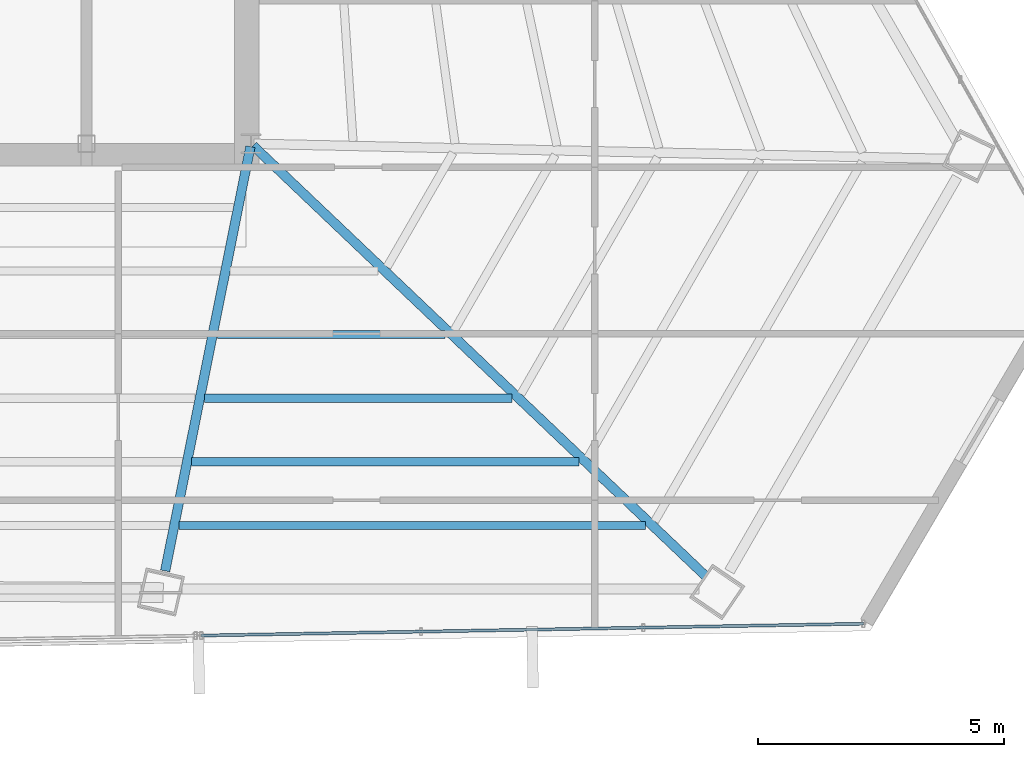
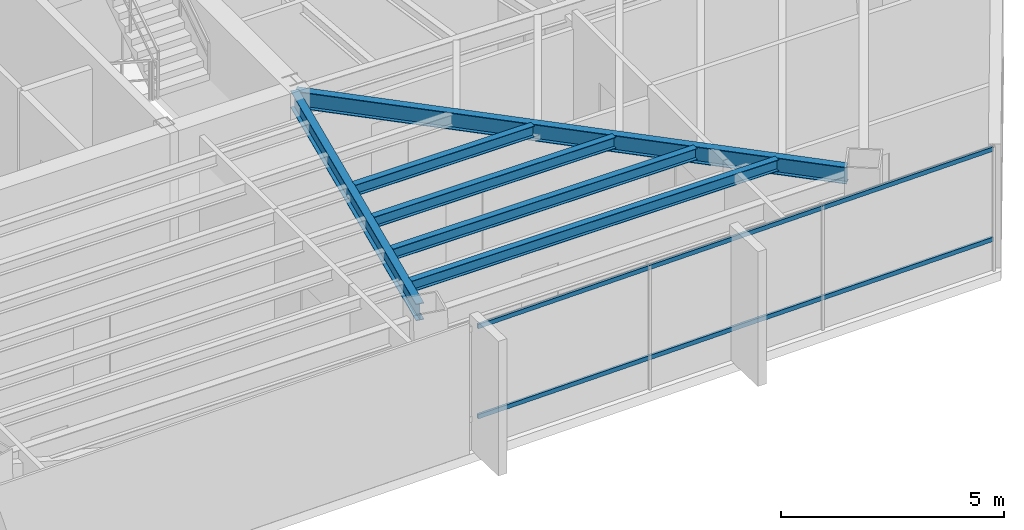
# One storey, part 19 of 42: 6 beams, 2 members, 1 element without a shape of its own.
"""IFC4 building model written with IfcOpenShell, lengths in metres."""

from ifc_helpers import new_model, si_unit, direction, frame, origin, origin_2d, place, context, subcontext, project, spatial, hollow_rectangle, i_section, extrude, source, transform, mapped, material, material_profile, profile_set, type_object, type_shapes, element, aggregate, save


model = new_model("IFC4")

# Units and contexts
model_context = context("Model", 3, precision=1e-05, world=origin(), true_north=direction((0.0, 1.0)))
body_context = subcontext(model_context, "Body", "Model", "MODEL_VIEW")
ifc_project = project(units=[si_unit("LENGTHUNIT", "METRE"), si_unit("AREAUNIT", "SQUARE_METRE"), si_unit("VOLUMEUNIT", "CUBIC_METRE"), si_unit("PLANEANGLEUNIT", "RADIAN"), si_unit("MASSUNIT", "GRAM", prefix="KILO")], contexts=[model_context])

# Site, building, storey
site_placement = place(None, origin())
site = spatial("IfcSite", under=ifc_project, at=site_placement, CompositionType="ELEMENT")
building_placement = place(site_placement, origin())
building = spatial("IfcBuilding", under=site, at=building_placement, Name="Caelisora Broadcast Tower", CompositionType="ELEMENT")
storey_placement = place(building_placement, frame((0.0, 0.0, 202.300048828125)))
storey = spatial("IfcBuildingStorey", under=building, at=storey_placement, Name="L53", CompositionType="ELEMENT", Elevation=202.300048828125)

# Beams
ifc_material_1 = material(Name="Steel Grade 350 (AS/NZS 3679.1)", Category="steel")
ifc_material_profile_1 = material_profile(ifc_material_1, i_section(OverallWidth=0.19091796875, OverallDepth=0.46044921875, WebThickness=0.010009765625, FlangeThickness=0.01611328125, at=origin_2d()), Name="Steel Grade 350 (AS/NZS 3679.1)")
ifc_profile_set_1 = profile_set([ifc_material_profile_1], Name="Steel Grade 350 (AS/NZS 3679.1)")
beam_type_1 = type_object("IfcBeamType", Name="PG06", PredefinedType="BEAM", material=ifc_profile_set_1)
shared_shape_1 = source(origin(), body_context, "Body", "SweptSolid", [
    extrude(i_section(OverallWidth=0.19091796875, OverallDepth=0.46044921875, WebThickness=0.010009765625, FlangeThickness=0.01611328125, at=origin_2d()), origin(), (0.0, 0.0, 1.0), 12.7216796875),
])
beam_1_placement = place(storey_placement, frame((45.54345703125, 17.358642578125, 3.169677734375), z_axis=(0.724635660467, -0.689132178598, 0.0), x_axis=(0.689132178598, 0.724635660467, 0.0)))
element("IfcBeam", 1, at=beam_1_placement, inside=storey, type_object=beam_type_1, Name="L53 beam PG06", PredefinedType="BEAM", context=body_context, shape_type="MappedRepresentation", body=[
    mapped(shared_shape_1, transform((0.0, 0.0, 0.0), scale=1.0)),
])
shared_shape_2 = source(origin(), body_context, "Body", "SweptSolid", [
    extrude(i_section(OverallWidth=0.19091796875, OverallDepth=0.46044921875, WebThickness=0.010009765625, FlangeThickness=0.01611328125, at=origin_2d()), origin(), (0.0, 0.0, 1.0), 8.812744140625),
])
type_shapes(beam_type_1, [shared_shape_1, shared_shape_2])
beam_2_placement = place(storey_placement, frame((45.48828125, 17.34130859375, 3.169677734375), z_axis=(-0.196995089628, -0.980404475032, 0.0), x_axis=(0.980404475032, -0.196995089628, 0.0)))
element("IfcBeam", 2, at=beam_2_placement, inside=storey, type_object=beam_type_1, Name="L53 beam PG06", PredefinedType="BEAM", context=body_context, shape_type="MappedRepresentation", body=[
    mapped(shared_shape_2, transform((0.0, 0.0, 0.0), scale=1.0)),
])
ifc_material_profile_2 = material_profile(ifc_material_1, i_section(OverallWidth=0.166015625, OverallDepth=0.30712890625, WebThickness=0.006591796875, FlangeThickness=0.01171875, at=origin_2d()), Name="Steel Grade 350 (AS/NZS 3679.1)")
ifc_profile_set_2 = profile_set([ifc_material_profile_2], Name="Steel Grade 350 (AS/NZS 3679.1)")
beam_type_2 = type_object("IfcBeamType", Name="SB03", PredefinedType="JOIST", material=ifc_profile_set_2)
shared_shape_3 = source(origin(), body_context, "Body", "SweptSolid", [
    extrude(i_section(OverallWidth=0.166015625, OverallDepth=0.30712890625, WebThickness=0.006591796875, FlangeThickness=0.01171875, at=origin_2d()), origin(), (0.0, 0.0, 1.0), 4.636962890625),
])
beam_3_placement = place(storey_placement, frame((44.813720703125, 13.513916015625, 3.246337890625), z_axis=(1.0, 0.0, 0.0), x_axis=(0.0, 1.0, 0.0)))
element("IfcBeam", 3, at=beam_3_placement, inside=storey, type_object=beam_type_2, Name="L53 beam SB03", PredefinedType="JOIST", context=body_context, shape_type="MappedRepresentation", body=[
    mapped(shared_shape_3, transform((0.0, 0.0, 0.0), scale=1.0)),
])
shared_shape_4 = source(origin(), body_context, "Body", "SweptSolid", [
    extrude(i_section(OverallWidth=0.166015625, OverallDepth=0.30712890625, WebThickness=0.006591796875, FlangeThickness=0.01171875, at=origin_2d()), origin(), (0.0, 0.0, 1.0), 6.25927734375),
])
beam_4_placement = place(storey_placement, frame((44.55322265625, 12.218505859375, 3.246337890625), z_axis=(1.0, 0.0, 0.0), x_axis=(0.0, 1.0, 0.0)))
element("IfcBeam", 4, at=beam_4_placement, inside=storey, type_object=beam_type_2, Name="L53 beam SB03", PredefinedType="JOIST", context=body_context, shape_type="MappedRepresentation", body=[
    mapped(shared_shape_4, transform((0.0, 0.0, 0.0), scale=1.0)),
])
shared_shape_5 = source(origin(), body_context, "Body", "SweptSolid", [
    extrude(i_section(OverallWidth=0.166015625, OverallDepth=0.30712890625, WebThickness=0.006591796875, FlangeThickness=0.01171875, at=origin_2d()), origin(), (0.0, 0.0, 1.0), 7.8818359375),
])
beam_5_placement = place(storey_placement, frame((44.29296875, 10.92333984375, 3.246337890625), z_axis=(1.0, 0.0, 0.0), x_axis=(0.0, 1.0, 0.0)))
element("IfcBeam", 5, at=beam_5_placement, inside=storey, type_object=beam_type_2, Name="L53 beam SB03", PredefinedType="JOIST", context=body_context, shape_type="MappedRepresentation", body=[
    mapped(shared_shape_5, transform((0.0, 0.0, 0.0), scale=1.0)),
])
shared_shape_6 = source(origin(), body_context, "Body", "SweptSolid", [
    extrude(i_section(OverallWidth=0.166015625, OverallDepth=0.30712890625, WebThickness=0.006591796875, FlangeThickness=0.01171875, at=origin_2d()), origin(), (0.0, 0.0, 1.0), 9.50390625),
])
type_shapes(beam_type_2, [shared_shape_3, shared_shape_4, shared_shape_5, shared_shape_6])
beam_6_placement = place(storey_placement, frame((44.03271484375, 9.6279296875, 3.246337890625), z_axis=(1.0, 0.0, 0.0), x_axis=(0.0, 1.0, 0.0)))
element("IfcBeam", 6, at=beam_6_placement, inside=storey, type_object=beam_type_2, Name="L53 beam SB03", PredefinedType="JOIST", context=body_context, shape_type="MappedRepresentation", body=[
    mapped(shared_shape_6, transform((0.0, 0.0, 0.0), scale=1.0)),
])

# Curtain wall, members
ifc_material_2 = material(Name="Unitised Aluminium and Low-E Glass Curtain Wall", Category="glass")
curtain_wall_type = type_object("IfcCurtainWallType", Name="CW-Z4", PredefinedType="NOTDEFINED", material=ifc_material_2)
curtain_wall_placement = place(storey_placement, origin())
curtain_wall = element("IfcCurtainWall", 7, at=curtain_wall_placement, inside=storey, type_object=curtain_wall_type, Name="L53 curtain wall CW-Z4", PredefinedType="NOTDEFINED")
ifc_material_3 = material(Name="Aluminium 6063-T6 Anodised Terracotta Bronze", Category="aluminium")
ifc_material_profile_3 = material_profile(ifc_material_3, hollow_rectangle(XDim=0.06005859375, YDim=0.1201171875, WallThickness=0.0029296875, at=origin_2d()), Name="Aluminium 6063-T6 Anodised Terracotta Bronze")
ifc_profile_set_3 = profile_set([ifc_material_profile_3], Name="Aluminium 6063-T6 Anodised Terracotta Bronze")
member_type = type_object("IfcMemberType", Name="CWT-03", PredefinedType="USERDEFINED", material=ifc_profile_set_3)
shared_shape_7 = source(origin(), body_context, "Body", "SweptSolid", [
    extrude(hollow_rectangle(XDim=0.06005859375, YDim=0.1201171875, WallThickness=0.0029296875, at=origin_2d()), origin(), (0.0, 0.0, 1.0), 13.48974609375),
])
type_shapes(member_type, [shared_shape_7])
member_1_placement = place(storey_placement, frame((57.969970703125, 7.626220703125, 0.849853515625), z_axis=(-0.999840120134, -0.017881112113, 0.0), x_axis=(0.017881112113, -0.999840120134, 0.0)))
member_1 = element("IfcMember", 8, at=member_1_placement, type_object=member_type, Name="L53-CW-B05 transom #1", ObjectType="TRANSOM", PredefinedType="USERDEFINED", context=body_context, shape_type="MappedRepresentation", body=[
    mapped(shared_shape_7, transform((0.0, 0.0, 0.0), scale=1.0)),
])
member_2_placement = place(storey_placement, frame((57.969970703125, 7.626220703125, 3.320068359375), z_axis=(-0.999840120134, -0.017881112113, 0.0), x_axis=(0.017881112113, -0.999840120134, 0.0)))
member_2 = element("IfcMember", 9, at=member_2_placement, type_object=member_type, Name="L53-CW-B05 transom #2", ObjectType="TRANSOM", PredefinedType="USERDEFINED", context=body_context, shape_type="MappedRepresentation", body=[
    mapped(shared_shape_7, transform((0.0, 0.0, 0.0), scale=1.0)),
])
aggregate(curtain_wall, [member_1, member_2])

save(model, "model.ifc")
